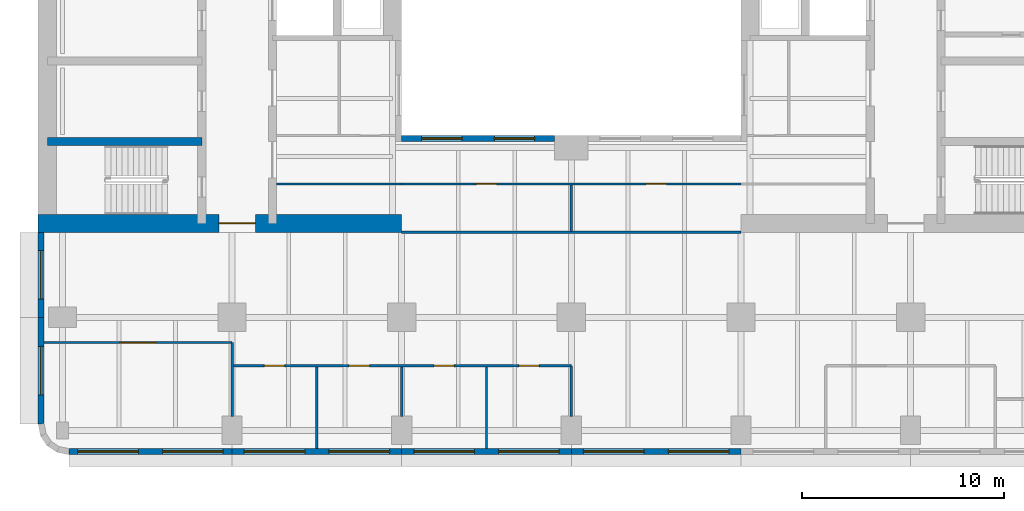
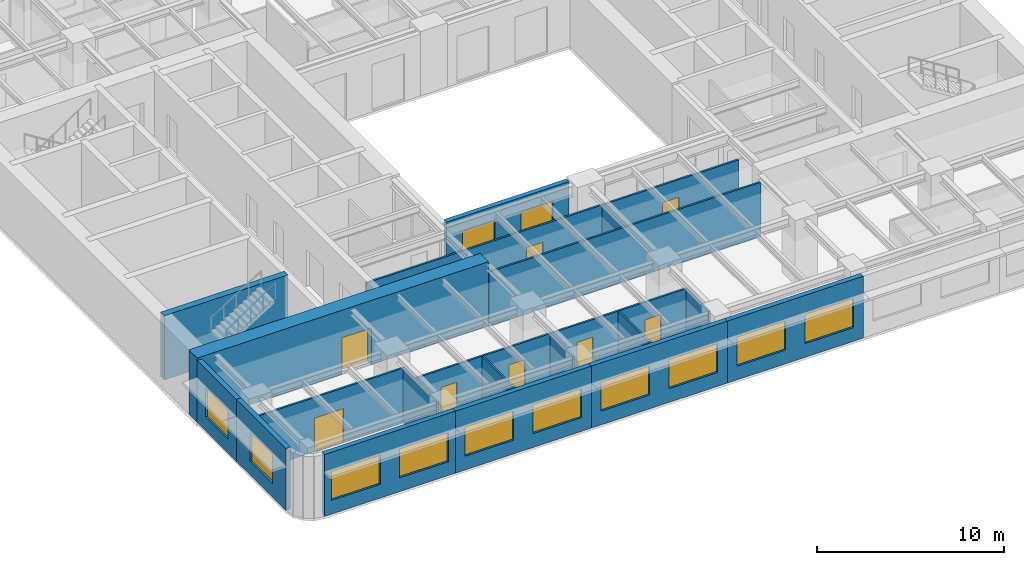
# One storey, part 3 of 11: 20 walls, 12 windows, 8 doors, 20 openings.
"""IFC4 building model written with IfcOpenShell, lengths in metres."""

from ifc_helpers import new_model, si_unit, direction, frame, frame_2d, origin, place, context, subcontext, project, spatial, rectangle, extrude, material, layer, layer_set, type_object, element, fill, save


model = new_model("IFC4")

# Units and contexts
model_context = context("Model", 3, precision=1e-05, world=origin(), true_north=direction((0.0, 1.0)))
body_context = subcontext(model_context, "Body", "Model", "MODEL_VIEW")
ifc_project = project(units=[si_unit("LENGTHUNIT", "METRE"), si_unit("AREAUNIT", "SQUARE_METRE"), si_unit("VOLUMEUNIT", "CUBIC_METRE"), si_unit("PLANEANGLEUNIT", "RADIAN"), si_unit("MASSUNIT", "GRAM", prefix="KILO")], contexts=[model_context])

# Site, building, storey
site_placement = place(None, origin())
site = spatial("IfcSite", under=ifc_project, at=site_placement, CompositionType="ELEMENT")
building_placement = place(site_placement, origin())
building = spatial("IfcBuilding", under=site, at=building_placement, Name="Claustro Exchange Tower", CompositionType="ELEMENT")
storey_placement = place(building_placement, frame((0.0, 0.0, 117.60009765625)))
storey = spatial("IfcBuildingStorey", under=building, at=storey_placement, Name="L26", CompositionType="ELEMENT", Elevation=117.60009765625)

# Wall, opening, door
ifc_material_1 = material(Name="Laminated glass in aluminium frame", Category="aluminium")
ifc_layer_1 = layer(ifc_material_1, 0.1201171875)
ifc_layer_set_1 = layer_set([ifc_layer_1], Name="Laminated glass in aluminium frame")
wall_type_1 = type_object("IfcWallType", Name="P2 120 glazed partition", PredefinedType="PARTITIONING", material=ifc_layer_set_1)
wall_1_placement = place(storey_placement, frame((-0.902099609375, 7.14990234375, 0.0), z_axis=(0.0, 0.0, 1.0), x_axis=(1.0, 0.0, 0.0)))
wall_1 = element("IfcWall", 1, at=wall_1_placement, inside=storey, type_object=wall_type_1, Name="Partition P2 L26", PredefinedType="PARTITIONING", context=body_context, shape_type="SweptSolid", body=[
    extrude(rectangle(XDim=9.302001953125, YDim=0.1201171875, at=frame_2d((4.65087890625, 0.0))), origin(), (0.0, 0.0, 1.0), 3.5498046875),
])
opening_1_placement = place(wall_1_placement, frame((3.751953125, 0.0, 0.0)))
opening_1 = element("IfcOpeningElement", 2, at=opening_1_placement, cuts=wall_1, Name="Opening D2", PredefinedType="OPENING", context=body_context, shape_type="SweptSolid", body=[
    extrude(rectangle(XDim=1.800048828125, YDim=2.199951171875, at=frame_2d((0.89990234375, 1.10009765625))), frame((0.0, 0.070068359375, 0.0), z_axis=(0.0, -1.0, 0.0), x_axis=(1.0, 0.0, 0.0)), (0.0, 0.0, 1.0), 0.14013671875),
])
ifc_material_2 = material(Name="Timber door, oak veneer", Category="wood")
door_type_1 = type_object("IfcDoorType", Name="D2 1800 x 2200 double door", OperationType="DOUBLE_DOOR_SINGLE_SWING", PredefinedType="DOOR", material=ifc_material_2)
door_1_placement = place(opening_1_placement, frame((1.800048828125, 0.0, 0.0), z_axis=(0.0, 0.0, 1.0), x_axis=(-1.0, 0.0, 0.0)))
door_1 = element("IfcDoor", 3, at=door_1_placement, inside=storey, type_object=door_type_1, Name="Double door D2 L26", OperationType="DOUBLE_DOOR_SINGLE_SWING", OverallHeight=2.199951171875, OverallWidth=1.800048828125, PredefinedType="DOOR", context=body_context, shape_type="SweptSolid", body=[
    extrude(rectangle(XDim=1.800048828125, YDim=2.199951171875, at=frame_2d((0.89990234375, 1.10009765625))), frame((0.0, 0.02490234375, 0.0), z_axis=(0.0, -1.0, 0.0), x_axis=(1.0, 0.0, 0.0)), (0.0, 0.0, 1.0), 0.050048828125),
])
fill(opening_1, door_1)

# Wall, openings, doors
wall_2_placement = place(storey_placement, frame((8.4580078125, 6.0, 0.0), z_axis=(0.0, 0.0, 1.0), x_axis=(1.0, 0.0, 0.0)))
wall_2 = element("IfcWall", 4, at=wall_2_placement, inside=storey, type_object=wall_type_1, Name="Partition P2 L26", PredefinedType="PARTITIONING", context=body_context, shape_type="SweptSolid", body=[
    extrude(rectangle(XDim=16.741943359375, YDim=0.1201171875, at=frame_2d((8.37109375, 0.0))), origin(), (0.0, 0.0, 1.0), 3.5498046875),
])
opening_2_placement = place(wall_2_placement, frame((1.5419921875, 0.0, 0.0)))
opening_2 = element("IfcOpeningElement", 5, at=opening_2_placement, cuts=wall_2, Name="Opening D7", PredefinedType="OPENING", context=body_context, shape_type="SweptSolid", body=[
    extrude(rectangle(XDim=1.0, YDim=2.39990234375, at=frame_2d((0.5, 1.199951171875))), frame((0.0, 0.070068359375, 0.0), z_axis=(0.0, -1.0, 0.0), x_axis=(1.0, 0.0, 0.0)), (0.0, 0.0, 1.0), 0.14013671875),
])
opening_3_placement = place(wall_2_placement, frame((5.741943359375, 0.0, 0.0)))
opening_3 = element("IfcOpeningElement", 6, at=opening_3_placement, cuts=wall_2, Name="Opening D7", PredefinedType="OPENING", context=body_context, shape_type="SweptSolid", body=[
    extrude(rectangle(XDim=1.0, YDim=2.39990234375, at=frame_2d((0.5, 1.199951171875))), frame((0.0, 0.070068359375, 0.0), z_axis=(0.0, -1.0, 0.0), x_axis=(1.0, 0.0, 0.0)), (0.0, 0.0, 1.0), 0.14013671875),
])
opening_4_placement = place(wall_2_placement, frame((9.94189453125, 0.0, 0.0)))
opening_4 = element("IfcOpeningElement", 7, at=opening_4_placement, cuts=wall_2, Name="Opening D7", PredefinedType="OPENING", context=body_context, shape_type="SweptSolid", body=[
    extrude(rectangle(XDim=1.0, YDim=2.39990234375, at=frame_2d((0.5, 1.199951171875))), frame((0.0, 0.070068359375, 0.0), z_axis=(0.0, -1.0, 0.0), x_axis=(1.0, 0.0, 0.0)), (0.0, 0.0, 1.0), 0.14013671875),
])
opening_5_placement = place(wall_2_placement, frame((14.14208984375, 0.0, 0.0)))
opening_5 = element("IfcOpeningElement", 8, at=opening_5_placement, cuts=wall_2, Name="Opening D7", PredefinedType="OPENING", context=body_context, shape_type="SweptSolid", body=[
    extrude(rectangle(XDim=1.0, YDim=2.39990234375, at=frame_2d((0.5, 1.199951171875))), frame((0.0, 0.070068359375, 0.0), z_axis=(0.0, -1.0, 0.0), x_axis=(1.0, 0.0, 0.0)), (0.0, 0.0, 1.0), 0.14013671875),
])
ifc_material_3 = material(Name="Glass door in aluminium frame", Category="aluminium")
door_type_2 = type_object("IfcDoorType", Name="D7 1000 x 2400 glazed door", OperationType="SINGLE_SWING_LEFT", PredefinedType="DOOR", material=ifc_material_3)
door_2_placement = place(opening_2_placement, frame((1.0, 0.0, 0.0), z_axis=(0.0, 0.0, 1.0), x_axis=(-1.0, 0.0, 0.0)))
door_2 = element("IfcDoor", 9, at=door_2_placement, inside=storey, type_object=door_type_2, Name="Door D7 L26", OperationType="SINGLE_SWING_LEFT", OverallHeight=2.39990234375, OverallWidth=1.0, PredefinedType="DOOR", context=body_context, shape_type="SweptSolid", body=[
    extrude(rectangle(XDim=1.0, YDim=2.39990234375, at=frame_2d((0.5, 1.199951171875))), frame((0.0, 0.02490234375, 0.0), z_axis=(0.0, -1.0, 0.0), x_axis=(1.0, 0.0, 0.0)), (0.0, 0.0, 1.0), 0.050048828125),
])
fill(opening_2, door_2)
door_3_placement = place(opening_3_placement, frame((1.0, 0.0, 0.0), z_axis=(0.0, 0.0, 1.0), x_axis=(-1.0, 0.0, 0.0)))
door_3 = element("IfcDoor", 10, at=door_3_placement, inside=storey, type_object=door_type_2, Name="Door D7 L26", OperationType="SINGLE_SWING_RIGHT", OverallHeight=2.39990234375, OverallWidth=1.0, PredefinedType="DOOR", context=body_context, shape_type="SweptSolid", body=[
    extrude(rectangle(XDim=1.0, YDim=2.39990234375, at=frame_2d((0.5, 1.199951171875))), frame((0.0, 0.02490234375, 0.0), z_axis=(0.0, -1.0, 0.0), x_axis=(1.0, 0.0, 0.0)), (0.0, 0.0, 1.0), 0.050048828125),
])
fill(opening_3, door_3)
door_4_placement = place(opening_4_placement, frame((1.0, 0.0, 0.0), z_axis=(0.0, 0.0, 1.0), x_axis=(-1.0, 0.0, 0.0)))
door_4 = element("IfcDoor", 11, at=door_4_placement, inside=storey, type_object=door_type_2, Name="Door D7 L26", OperationType="SINGLE_SWING_RIGHT", OverallHeight=2.39990234375, OverallWidth=1.0, PredefinedType="DOOR", context=body_context, shape_type="SweptSolid", body=[
    extrude(rectangle(XDim=1.0, YDim=2.39990234375, at=frame_2d((0.5, 1.199951171875))), frame((0.0, 0.02490234375, 0.0), z_axis=(0.0, -1.0, 0.0), x_axis=(1.0, 0.0, 0.0)), (0.0, 0.0, 1.0), 0.050048828125),
])
fill(opening_4, door_4)
door_5_placement = place(opening_5_placement, frame((1.0, 0.0, 0.0), z_axis=(0.0, 0.0, 1.0), x_axis=(-1.0, 0.0, 0.0)))
door_5 = element("IfcDoor", 12, at=door_5_placement, inside=storey, type_object=door_type_2, Name="Door D7 L26", OperationType="SINGLE_SWING_LEFT", OverallHeight=2.39990234375, OverallWidth=1.0, PredefinedType="DOOR", context=body_context, shape_type="SweptSolid", body=[
    extrude(rectangle(XDim=1.0, YDim=2.39990234375, at=frame_2d((0.5, 1.199951171875))), frame((0.0, 0.02490234375, 0.0), z_axis=(0.0, -1.0, 0.0), x_axis=(1.0, 0.0, 0.0)), (0.0, 0.0, 1.0), 0.050048828125),
])
fill(opening_5, door_5)

# Walls
wall_3_placement = place(storey_placement, frame((8.39990234375, 3.4990234375, 0.0), z_axis=(0.0, 0.0, 1.0), x_axis=(0.0, 1.0, 0.0)))
element("IfcWall", 13, at=wall_3_placement, inside=storey, type_object=wall_type_1, Name="Partition P2 L26", PredefinedType="PARTITIONING", context=body_context, shape_type="SweptSolid", body=[
    extrude(rectangle(XDim=3.65087890625, YDim=0.1201171875, at=frame_2d((1.825439453125, 0.0))), origin(), (0.0, 0.0, 1.0), 3.5498046875),
])
wall_4_placement = place(storey_placement, frame((12.60009765625, 1.89794921875, 0.0), z_axis=(0.0, 0.0, 1.0), x_axis=(0.0, 1.0, 0.0)))
element("IfcWall", 14, at=wall_4_placement, inside=storey, type_object=wall_type_1, Name="Partition P2 L26", PredefinedType="PARTITIONING", context=body_context, shape_type="SweptSolid", body=[
    extrude(rectangle(XDim=4.0439453125, YDim=0.1201171875, at=frame_2d((2.02197265625, 0.0))), origin(), (0.0, 0.0, 1.0), 3.559814453125),
])
wall_5_placement = place(storey_placement, frame((16.800048828125, 3.4990234375, 0.0), z_axis=(0.0, 0.0, 1.0), x_axis=(0.0, 1.0, 0.0)))
element("IfcWall", 15, at=wall_5_placement, inside=storey, type_object=wall_type_1, Name="Partition P2 L26", PredefinedType="PARTITIONING", context=body_context, shape_type="SweptSolid", body=[
    extrude(rectangle(XDim=2.44287109375, YDim=0.1201171875, at=frame_2d((1.221435546875, 0.0))), origin(), (0.0, 0.0, 1.0), 3.5498046875),
])
wall_6_placement = place(storey_placement, frame((21.0, 1.89794921875, 0.0), z_axis=(0.0, 0.0, 1.0), x_axis=(0.0, 1.0, 0.0)))
element("IfcWall", 16, at=wall_6_placement, inside=storey, type_object=wall_type_1, Name="Partition P2 L26", PredefinedType="PARTITIONING", context=body_context, shape_type="SweptSolid", body=[
    extrude(rectangle(XDim=4.0439453125, YDim=0.1201171875, at=frame_2d((2.02197265625, 0.0))), origin(), (0.0, 0.0, 1.0), 3.559814453125),
])
wall_7_placement = place(storey_placement, frame((25.199951171875, 3.4990234375, 0.0), z_axis=(0.0, 0.0, 1.0), x_axis=(0.0, 1.0, 0.0)))
element("IfcWall", 17, at=wall_7_placement, inside=storey, type_object=wall_type_1, Name="Partition P2 L26", PredefinedType="PARTITIONING", context=body_context, shape_type="SweptSolid", body=[
    extrude(rectangle(XDim=2.5009765625, YDim=0.1201171875, at=frame_2d((1.25048828125, 0.0))), origin(), (0.0, 0.0, 1.0), 3.5498046875),
])
wall_8_placement = place(storey_placement, frame((10.597900390625, 15.0, 0.0), z_axis=(0.0, 0.0, 1.0), x_axis=(1.0, 0.0, 0.0)))
element("IfcWall", 18, at=wall_8_placement, inside=storey, type_object=wall_type_1, Name="Partition P2 L26", PredefinedType="PARTITIONING", context=body_context, shape_type="SweptSolid", body=[
    extrude(rectangle(XDim=6.2041015625, YDim=0.1201171875, at=frame_2d((3.10205078125, 0.0))), origin(), (0.0, 0.0, 1.0), 3.5498046875),
])
wall_9_placement = place(storey_placement, frame((25.199951171875, 12.657958984375, 0.0), z_axis=(0.0, 0.0, 1.0), x_axis=(0.0, 1.0, 0.0)))
element("IfcWall", 19, at=wall_9_placement, inside=storey, type_object=wall_type_1, Name="Partition P2 L26", PredefinedType="PARTITIONING", context=body_context, shape_type="SweptSolid", body=[
    extrude(rectangle(XDim=2.283935546875, YDim=0.1201171875, at=frame_2d((1.14208984375, 0.0))), origin(), (0.0, 0.0, 1.0), 3.5498046875),
])

# Wall, openings, doors
wall_10_placement = place(storey_placement, frame((16.798095703125, 15.0, 0.0), z_axis=(0.0, 0.0, 1.0), x_axis=(1.0, 0.0, 0.0)))
wall_10 = element("IfcWall", 20, at=wall_10_placement, inside=storey, type_object=wall_type_1, Name="Partition P2 L26", PredefinedType="PARTITIONING", context=body_context, shape_type="SweptSolid", body=[
    extrude(rectangle(XDim=16.803955078125, YDim=0.1201171875, at=frame_2d((8.40185546875, 0.0))), origin(), (0.0, 0.0, 1.0), 3.5498046875),
])
opening_6_placement = place(wall_10_placement, frame((3.701904296875, 0.0, 0.0)))
opening_6 = element("IfcOpeningElement", 21, at=opening_6_placement, cuts=wall_10, Name="Opening D7", PredefinedType="OPENING", context=body_context, shape_type="SweptSolid", body=[
    extrude(rectangle(XDim=1.0, YDim=2.39990234375, at=frame_2d((0.5, 1.199951171875))), frame((0.0, 0.070068359375, 0.0), z_axis=(0.0, -1.0, 0.0), x_axis=(1.0, 0.0, 0.0)), (0.0, 0.0, 1.0), 0.14013671875),
])
opening_7_placement = place(wall_10_placement, frame((12.10205078125, 0.0, 0.0)))
opening_7 = element("IfcOpeningElement", 22, at=opening_7_placement, cuts=wall_10, Name="Opening D7", PredefinedType="OPENING", context=body_context, shape_type="SweptSolid", body=[
    extrude(rectangle(XDim=1.0, YDim=2.39990234375, at=frame_2d((0.5, 1.199951171875))), frame((0.0, 0.070068359375, 0.0), z_axis=(0.0, -1.0, 0.0), x_axis=(1.0, 0.0, 0.0)), (0.0, 0.0, 1.0), 0.14013671875),
])
door_6_placement = place(opening_6_placement, frame((1.0, 0.0, 0.0), z_axis=(0.0, 0.0, 1.0), x_axis=(-1.0, 0.0, 0.0)))
door_6 = element("IfcDoor", 23, at=door_6_placement, inside=storey, type_object=door_type_2, Name="Door D7 L26", OperationType="SINGLE_SWING_RIGHT", OverallHeight=2.39990234375, OverallWidth=1.0, PredefinedType="DOOR", context=body_context, shape_type="SweptSolid", body=[
    extrude(rectangle(XDim=1.0, YDim=2.39990234375, at=frame_2d((0.5, 1.199951171875))), frame((0.0, 0.02490234375, 0.0), z_axis=(0.0, -1.0, 0.0), x_axis=(1.0, 0.0, 0.0)), (0.0, 0.0, 1.0), 0.050048828125),
])
fill(opening_6, door_6)
door_7_placement = place(opening_7_placement, frame((1.0, 0.0, 0.0), z_axis=(0.0, 0.0, 1.0), x_axis=(-1.0, 0.0, 0.0)))
door_7 = element("IfcDoor", 24, at=door_7_placement, inside=storey, type_object=door_type_2, Name="Door D7 L26", OperationType="SINGLE_SWING_RIGHT", OverallHeight=2.39990234375, OverallWidth=1.0, PredefinedType="DOOR", context=body_context, shape_type="SweptSolid", body=[
    extrude(rectangle(XDim=1.0, YDim=2.39990234375, at=frame_2d((0.5, 1.199951171875))), frame((0.0, 0.02490234375, 0.0), z_axis=(0.0, -1.0, 0.0), x_axis=(1.0, 0.0, 0.0)), (0.0, 0.0, 1.0), 0.050048828125),
])
fill(opening_7, door_7)

# Wall
wall_11_placement = place(storey_placement, frame((16.800048828125, 12.60009765625, 0.0), z_axis=(0.0, 0.0, 1.0), x_axis=(1.0, 0.0, 0.0)))
element("IfcWall", 25, at=wall_11_placement, inside=storey, type_object=wall_type_1, Name="Partition P2 L26", PredefinedType="PARTITIONING", context=body_context, shape_type="SweptSolid", body=[
    extrude(rectangle(XDim=16.800048828125, YDim=0.1201171875, at=frame_2d((8.39990234375, 0.0))), origin(), (0.0, 0.0, 1.0), 3.5498046875),
])

# Wall, openings, windows
ifc_material_4 = material(Name="Concrete HA-40 (C40/50), precast, white cement, acid-etched", Category="concrete")
ifc_layer_2 = layer(ifc_material_4, 0.300048828125)
ifc_layer_set_2 = layer_set([ifc_layer_2], Name="Concrete HA-40 (C40/50), precast, white cement, acid-etched")
wall_type_2 = type_object("IfcWallType", Name="PC1 300 precast concrete pier panel", PredefinedType="SOLIDWALL", material=ifc_layer_set_2)
wall_12_placement = place(storey_placement, frame((33.60009765625, 1.75, 0.0), z_axis=(0.0, 0.0, 1.0), x_axis=(-1.0, 0.0, 0.0)))
wall_12 = element("IfcWall", 26, at=wall_12_placement, inside=storey, type_object=wall_type_2, Name="Precast pier panel PC1 L26", PredefinedType="SOLIDWALL", context=body_context, shape_type="SweptSolid", body=[
    extrude(rectangle(XDim=8.400146484375, YDim=0.300048828125, at=frame_2d((4.2001953125, 0.0))), origin(), (0.0, 0.0, 1.0), 4.0498046875),
])
opening_8_placement = place(wall_12_placement, frame((0.60009765625, 0.0, 0.89990234375)))
opening_8 = element("IfcOpeningElement", 27, at=opening_8_placement, cuts=wall_12, Name="Opening W1", PredefinedType="OPENING", context=body_context, shape_type="SweptSolid", body=[
    extrude(rectangle(XDim=3.0, YDim=1.89990234375, at=frame_2d((1.5, 0.949951171875))), frame((0.0, 0.159912109375, 0.0), z_axis=(0.0, -1.0, 0.0), x_axis=(1.0, 0.0, 0.0)), (0.0, 0.0, 1.0), 0.320068359375),
])
opening_9_placement = place(wall_12_placement, frame((4.800048828125, 0.0, 0.89990234375)))
opening_9 = element("IfcOpeningElement", 28, at=opening_9_placement, cuts=wall_12, Name="Opening W1", PredefinedType="OPENING", context=body_context, shape_type="SweptSolid", body=[
    extrude(rectangle(XDim=3.0, YDim=1.89990234375, at=frame_2d((1.5, 0.949951171875))), frame((0.0, 0.159912109375, 0.0), z_axis=(0.0, -1.0, 0.0), x_axis=(1.0, 0.0, 0.0)), (0.0, 0.0, 1.0), 0.320068359375),
])
ifc_material_5 = material(Name="Aluminium frame, clear double glazing", Category="aluminium")
window_type_1 = type_object("IfcWindowType", Name="W1 3000 x 1900 window", PartitioningType="SINGLE_PANEL", PredefinedType="WINDOW", material=ifc_material_5)
window_1_placement = place(opening_8_placement, origin())
window_1 = element("IfcWindow", 29, at=window_1_placement, inside=storey, type_object=window_type_1, Name="Window W1 L26", OverallHeight=1.89990234375, OverallWidth=3.0, PartitioningType="SINGLE_PANEL", PredefinedType="WINDOW", context=body_context, shape_type="SweptSolid", body=[
    extrude(rectangle(XDim=3.0, YDim=1.89990234375, at=frame_2d((1.5, 0.949951171875))), frame((0.0, 0.030029296875, 0.0), z_axis=(0.0, -1.0, 0.0), x_axis=(1.0, 0.0, 0.0)), (0.0, 0.0, 1.0), 0.06005859375),
])
fill(opening_8, window_1)
window_2_placement = place(opening_9_placement, origin())
window_2 = element("IfcWindow", 30, at=window_2_placement, inside=storey, type_object=window_type_1, Name="Window W1 L26", OverallHeight=1.89990234375, OverallWidth=3.0, PartitioningType="SINGLE_PANEL", PredefinedType="WINDOW", context=body_context, shape_type="SweptSolid", body=[
    extrude(rectangle(XDim=3.0, YDim=1.89990234375, at=frame_2d((1.5, 0.949951171875))), frame((0.0, 0.030029296875, 0.0), z_axis=(0.0, -1.0, 0.0), x_axis=(1.0, 0.0, 0.0)), (0.0, 0.0, 1.0), 0.06005859375),
])
fill(opening_9, window_2)

wall_13_placement = place(storey_placement, frame((25.199951171875, 1.75, 0.0), z_axis=(0.0, 0.0, 1.0), x_axis=(-1.0, 0.0, 0.0)))
wall_13 = element("IfcWall", 31, at=wall_13_placement, inside=storey, type_object=wall_type_2, Name="Precast pier panel PC1 L26", PredefinedType="SOLIDWALL", context=body_context, shape_type="SweptSolid", body=[
    extrude(rectangle(XDim=8.39990234375, YDim=0.300048828125, at=frame_2d((4.199951171875, 0.0))), origin(), (0.0, 0.0, 1.0), 4.0498046875),
])
opening_10_placement = place(wall_13_placement, frame((0.60009765625, 0.0, 0.89990234375)))
opening_10 = element("IfcOpeningElement", 32, at=opening_10_placement, cuts=wall_13, Name="Opening W1", PredefinedType="OPENING", context=body_context, shape_type="SweptSolid", body=[
    extrude(rectangle(XDim=3.0, YDim=1.89990234375, at=frame_2d((1.5, 0.949951171875))), frame((0.0, 0.159912109375, 0.0), z_axis=(0.0, -1.0, 0.0), x_axis=(1.0, 0.0, 0.0)), (0.0, 0.0, 1.0), 0.320068359375),
])
opening_11_placement = place(wall_13_placement, frame((4.800048828125, 0.0, 0.89990234375)))
opening_11 = element("IfcOpeningElement", 33, at=opening_11_placement, cuts=wall_13, Name="Opening W1", PredefinedType="OPENING", context=body_context, shape_type="SweptSolid", body=[
    extrude(rectangle(XDim=3.0, YDim=1.89990234375, at=frame_2d((1.5, 0.949951171875))), frame((0.0, 0.159912109375, 0.0), z_axis=(0.0, -1.0, 0.0), x_axis=(1.0, 0.0, 0.0)), (0.0, 0.0, 1.0), 0.320068359375),
])
window_3_placement = place(opening_10_placement, origin())
window_3 = element("IfcWindow", 34, at=window_3_placement, inside=storey, type_object=window_type_1, Name="Window W1 L26", OverallHeight=1.89990234375, OverallWidth=3.0, PartitioningType="SINGLE_PANEL", PredefinedType="WINDOW", context=body_context, shape_type="SweptSolid", body=[
    extrude(rectangle(XDim=3.0, YDim=1.89990234375, at=frame_2d((1.5, 0.949951171875))), frame((0.0, 0.030029296875, 0.0), z_axis=(0.0, -1.0, 0.0), x_axis=(1.0, 0.0, 0.0)), (0.0, 0.0, 1.0), 0.06005859375),
])
fill(opening_10, window_3)
window_4_placement = place(opening_11_placement, origin())
window_4 = element("IfcWindow", 35, at=window_4_placement, inside=storey, type_object=window_type_1, Name="Window W1 L26", OverallHeight=1.89990234375, OverallWidth=3.0, PartitioningType="SINGLE_PANEL", PredefinedType="WINDOW", context=body_context, shape_type="SweptSolid", body=[
    extrude(rectangle(XDim=3.0, YDim=1.89990234375, at=frame_2d((1.5, 0.949951171875))), frame((0.0, 0.030029296875, 0.0), z_axis=(0.0, -1.0, 0.0), x_axis=(1.0, 0.0, 0.0)), (0.0, 0.0, 1.0), 0.06005859375),
])
fill(opening_11, window_4)

wall_14_placement = place(storey_placement, frame((16.800048828125, 1.75, 0.0), z_axis=(0.0, 0.0, 1.0), x_axis=(-1.0, 0.0, 0.0)))
wall_14 = element("IfcWall", 36, at=wall_14_placement, inside=storey, type_object=wall_type_2, Name="Precast pier panel PC1 L26", PredefinedType="SOLIDWALL", context=body_context, shape_type="SweptSolid", body=[
    extrude(rectangle(XDim=8.400146484375, YDim=0.300048828125, at=frame_2d((4.2001953125, 0.0))), origin(), (0.0, 0.0, 1.0), 4.0498046875),
])
opening_12_placement = place(wall_14_placement, frame((0.60009765625, 0.0, 0.89990234375)))
opening_12 = element("IfcOpeningElement", 37, at=opening_12_placement, cuts=wall_14, Name="Opening W1", PredefinedType="OPENING", context=body_context, shape_type="SweptSolid", body=[
    extrude(rectangle(XDim=3.0, YDim=1.89990234375, at=frame_2d((1.5, 0.949951171875))), frame((0.0, 0.159912109375, 0.0), z_axis=(0.0, -1.0, 0.0), x_axis=(1.0, 0.0, 0.0)), (0.0, 0.0, 1.0), 0.320068359375),
])
opening_13_placement = place(wall_14_placement, frame((4.800048828125, 0.0, 0.89990234375)))
opening_13 = element("IfcOpeningElement", 38, at=opening_13_placement, cuts=wall_14, Name="Opening W1", PredefinedType="OPENING", context=body_context, shape_type="SweptSolid", body=[
    extrude(rectangle(XDim=3.0, YDim=1.89990234375, at=frame_2d((1.5, 0.949951171875))), frame((0.0, 0.159912109375, 0.0), z_axis=(0.0, -1.0, 0.0), x_axis=(1.0, 0.0, 0.0)), (0.0, 0.0, 1.0), 0.320068359375),
])
window_5_placement = place(opening_12_placement, origin())
window_5 = element("IfcWindow", 39, at=window_5_placement, inside=storey, type_object=window_type_1, Name="Window W1 L26", OverallHeight=1.89990234375, OverallWidth=3.0, PartitioningType="SINGLE_PANEL", PredefinedType="WINDOW", context=body_context, shape_type="SweptSolid", body=[
    extrude(rectangle(XDim=3.0, YDim=1.89990234375, at=frame_2d((1.5, 0.949951171875))), frame((0.0, 0.030029296875, 0.0), z_axis=(0.0, -1.0, 0.0), x_axis=(1.0, 0.0, 0.0)), (0.0, 0.0, 1.0), 0.06005859375),
])
fill(opening_12, window_5)
window_6_placement = place(opening_13_placement, origin())
window_6 = element("IfcWindow", 40, at=window_6_placement, inside=storey, type_object=window_type_1, Name="Window W1 L26", OverallHeight=1.89990234375, OverallWidth=3.0, PartitioningType="SINGLE_PANEL", PredefinedType="WINDOW", context=body_context, shape_type="SweptSolid", body=[
    extrude(rectangle(XDim=3.0, YDim=1.89990234375, at=frame_2d((1.5, 0.949951171875))), frame((0.0, 0.030029296875, 0.0), z_axis=(0.0, -1.0, 0.0), x_axis=(1.0, 0.0, 0.0)), (0.0, 0.0, 1.0), 0.06005859375),
])
fill(opening_13, window_6)

wall_15_placement = place(storey_placement, frame((8.39990234375, 1.75, 0.0), z_axis=(0.0, 0.0, 1.0), x_axis=(-1.0, 0.0, 0.0)))
wall_15 = element("IfcWall", 41, at=wall_15_placement, inside=storey, type_object=wall_type_2, Name="Precast pier panel PC1 L26", PredefinedType="SOLIDWALL", context=body_context, shape_type="SweptSolid", body=[
    extrude(rectangle(XDim=8.085205078125, YDim=0.300048828125, at=frame_2d((4.04248046875, 0.0))), origin(), (0.0, 0.0, 1.0), 4.0498046875),
])
opening_14_placement = place(wall_15_placement, frame((0.442626953125, 0.0, 0.89990234375)))
opening_14 = element("IfcOpeningElement", 42, at=opening_14_placement, cuts=wall_15, Name="Opening W1", PredefinedType="OPENING", context=body_context, shape_type="SweptSolid", body=[
    extrude(rectangle(XDim=3.0, YDim=1.89990234375, at=frame_2d((1.5, 0.949951171875))), frame((0.0, 0.159912109375, 0.0), z_axis=(0.0, -1.0, 0.0), x_axis=(1.0, 0.0, 0.0)), (0.0, 0.0, 1.0), 0.320068359375),
])
opening_15_placement = place(wall_15_placement, frame((4.642578125, 0.0, 0.89990234375)))
opening_15 = element("IfcOpeningElement", 43, at=opening_15_placement, cuts=wall_15, Name="Opening W1", PredefinedType="OPENING", context=body_context, shape_type="SweptSolid", body=[
    extrude(rectangle(XDim=3.0, YDim=1.89990234375, at=frame_2d((1.5, 0.949951171875))), frame((0.0, 0.159912109375, 0.0), z_axis=(0.0, -1.0, 0.0), x_axis=(1.0, 0.0, 0.0)), (0.0, 0.0, 1.0), 0.320068359375),
])
window_7_placement = place(opening_14_placement, origin())
window_7 = element("IfcWindow", 44, at=window_7_placement, inside=storey, type_object=window_type_1, Name="Window W1 L26", OverallHeight=1.89990234375, OverallWidth=3.0, PartitioningType="SINGLE_PANEL", PredefinedType="WINDOW", context=body_context, shape_type="SweptSolid", body=[
    extrude(rectangle(XDim=3.0, YDim=1.89990234375, at=frame_2d((1.5, 0.949951171875))), frame((0.0, 0.030029296875, 0.0), z_axis=(0.0, -1.0, 0.0), x_axis=(1.0, 0.0, 0.0)), (0.0, 0.0, 1.0), 0.06005859375),
])
fill(opening_14, window_7)
window_8_placement = place(opening_15_placement, origin())
window_8 = element("IfcWindow", 45, at=window_8_placement, inside=storey, type_object=window_type_1, Name="Window W1 L26", OverallHeight=1.89990234375, OverallWidth=3.0, PartitioningType="SINGLE_PANEL", PredefinedType="WINDOW", context=body_context, shape_type="SweptSolid", body=[
    extrude(rectangle(XDim=3.0, YDim=1.89990234375, at=frame_2d((1.5, 0.949951171875))), frame((0.0, 0.030029296875, 0.0), z_axis=(0.0, -1.0, 0.0), x_axis=(1.0, 0.0, 0.0)), (0.0, 0.0, 1.0), 0.06005859375),
])
fill(opening_15, window_8)

# Wall, opening, window
wall_16_placement = place(storey_placement, frame((-1.050048828125, 3.11474609375, 0.0), z_axis=(0.0, 0.0, 1.0), x_axis=(0.0, 1.0, 0.0)))
wall_16 = element("IfcWall", 46, at=wall_16_placement, inside=storey, type_object=wall_type_2, Name="Precast pier panel PC1 L26", PredefinedType="SOLIDWALL", context=body_context, shape_type="SweptSolid", body=[
    extrude(rectangle(XDim=5.28515625, YDim=0.300048828125, at=frame_2d((2.642578125, 0.0))), origin(), (0.0, 0.0, 1.0), 4.0498046875),
])
opening_16_placement = place(wall_16_placement, frame((1.442626953125, 0.0, 0.89990234375)))
opening_16 = element("IfcOpeningElement", 47, at=opening_16_placement, cuts=wall_16, Name="Opening W2", PredefinedType="OPENING", context=body_context, shape_type="SweptSolid", body=[
    extrude(rectangle(XDim=2.39990234375, YDim=1.89990234375, at=frame_2d((1.199951171875, 0.949951171875))), frame((0.0, 0.159912109375, 0.0), z_axis=(0.0, -1.0, 0.0), x_axis=(1.0, 0.0, 0.0)), (0.0, 0.0, 1.0), 0.320068359375),
])
ifc_material_6 = material(Name="Aluminium frame, clear double glazing", Category="aluminium")
window_type_2 = type_object("IfcWindowType", Name="W2 2400 x 1900 window", PartitioningType="SINGLE_PANEL", PredefinedType="WINDOW", material=ifc_material_6)
window_9_placement = place(opening_16_placement, origin())
window_9 = element("IfcWindow", 48, at=window_9_placement, inside=storey, type_object=window_type_2, Name="Window W2 L26", OverallHeight=1.89990234375, OverallWidth=2.39990234375, PartitioningType="SINGLE_PANEL", PredefinedType="WINDOW", context=body_context, shape_type="SweptSolid", body=[
    extrude(rectangle(XDim=2.39990234375, YDim=1.89990234375, at=frame_2d((1.199951171875, 0.949951171875))), frame((0.0, 0.030029296875, 0.0), z_axis=(0.0, -1.0, 0.0), x_axis=(1.0, 0.0, 0.0)), (0.0, 0.0, 1.0), 0.06005859375),
])
fill(opening_16, window_9)

wall_17_placement = place(storey_placement, frame((-1.050048828125, 8.39990234375, 0.0), z_axis=(0.0, 0.0, 1.0), x_axis=(0.0, 1.0, 0.0)))
wall_17 = element("IfcWall", 49, at=wall_17_placement, inside=storey, type_object=wall_type_2, Name="Precast pier panel PC1 L26", PredefinedType="SOLIDWALL", context=body_context, shape_type="SweptSolid", body=[
    extrude(rectangle(XDim=4.2001953125, YDim=0.300048828125, at=frame_2d((2.10009765625, 0.0))), origin(), (0.0, 0.0, 1.0), 4.0498046875),
])
opening_17_placement = place(wall_17_placement, frame((0.89990234375, 0.0, 0.89990234375)))
opening_17 = element("IfcOpeningElement", 50, at=opening_17_placement, cuts=wall_17, Name="Opening W2", PredefinedType="OPENING", context=body_context, shape_type="SweptSolid", body=[
    extrude(rectangle(XDim=2.39990234375, YDim=1.89990234375, at=frame_2d((1.199951171875, 0.949951171875))), frame((0.0, 0.159912109375, 0.0), z_axis=(0.0, -1.0, 0.0), x_axis=(1.0, 0.0, 0.0)), (0.0, 0.0, 1.0), 0.320068359375),
])
window_10_placement = place(opening_17_placement, origin())
window_10 = element("IfcWindow", 51, at=window_10_placement, inside=storey, type_object=window_type_2, Name="Window W2 L26", OverallHeight=1.89990234375, OverallWidth=2.39990234375, PartitioningType="SINGLE_PANEL", PredefinedType="WINDOW", context=body_context, shape_type="SweptSolid", body=[
    extrude(rectangle(XDim=2.39990234375, YDim=1.89990234375, at=frame_2d((1.199951171875, 0.949951171875))), frame((0.0, 0.030029296875, 0.0), z_axis=(0.0, -1.0, 0.0), x_axis=(1.0, 0.0, 0.0)), (0.0, 0.0, 1.0), 0.06005859375),
])
fill(opening_17, window_10)

# Wall, openings, windows
wall_18_placement = place(storey_placement, frame((16.800048828125, 17.25, 0.0), z_axis=(0.0, 0.0, 1.0), x_axis=(1.0, 0.0, 0.0)))
wall_18 = element("IfcWall", 52, at=wall_18_placement, inside=storey, type_object=wall_type_2, Name="Precast pier panel PC1 L26", PredefinedType="SOLIDWALL", context=body_context, shape_type="SweptSolid", body=[
    extrude(rectangle(XDim=7.574951171875, YDim=0.300048828125, at=frame_2d((3.78759765625, 0.0))), origin(), (0.0, 0.0, 1.0), 4.0498046875),
])
opening_18_placement = place(wall_18_placement, frame((0.987548828125, 0.0, 0.10009765625)))
opening_18 = element("IfcOpeningElement", 53, at=opening_18_placement, cuts=wall_18, Name="Opening W-A", PredefinedType="OPENING", context=body_context, shape_type="SweptSolid", body=[
    extrude(rectangle(XDim=2.0, YDim=3.0, at=frame_2d((1.0, 1.5))), frame((0.0, 0.159912109375, 0.0), z_axis=(0.0, -1.0, 0.0), x_axis=(1.0, 0.0, 0.0)), (0.0, 0.0, 1.0), 0.320068359375),
])
opening_19_placement = place(wall_18_placement, frame((4.58740234375, 0.0, 0.10009765625)))
opening_19 = element("IfcOpeningElement", 54, at=opening_19_placement, cuts=wall_18, Name="Opening W-A", PredefinedType="OPENING", context=body_context, shape_type="SweptSolid", body=[
    extrude(rectangle(XDim=2.0, YDim=3.0, at=frame_2d((1.0, 1.5))), frame((0.0, 0.159912109375, 0.0), z_axis=(0.0, -1.0, 0.0), x_axis=(1.0, 0.0, 0.0)), (0.0, 0.0, 1.0), 0.320068359375),
])
ifc_material_7 = material(Name="Aluminium frame, clear double glazing", Category="aluminium")
window_type_3 = type_object("IfcWindowType", Name="W-A 2000 x 3000 arcade window", PartitioningType="SINGLE_PANEL", PredefinedType="WINDOW", material=ifc_material_7)
window_11_placement = place(opening_18_placement, origin())
window_11 = element("IfcWindow", 55, at=window_11_placement, inside=storey, type_object=window_type_3, Name="Window W-A L26", OverallHeight=3.0, OverallWidth=2.0, PartitioningType="SINGLE_PANEL", PredefinedType="WINDOW", context=body_context, shape_type="SweptSolid", body=[
    extrude(rectangle(XDim=2.0, YDim=3.0, at=frame_2d((1.0, 1.5))), frame((0.0, 0.030029296875, 0.0), z_axis=(0.0, -1.0, 0.0), x_axis=(1.0, 0.0, 0.0)), (0.0, 0.0, 1.0), 0.06005859375),
])
fill(opening_18, window_11)
window_12_placement = place(opening_19_placement, origin())
window_12 = element("IfcWindow", 56, at=window_12_placement, inside=storey, type_object=window_type_3, Name="Window W-A L26", OverallHeight=3.0, OverallWidth=2.0, PartitioningType="SINGLE_PANEL", PredefinedType="WINDOW", context=body_context, shape_type="SweptSolid", body=[
    extrude(rectangle(XDim=2.0, YDim=3.0, at=frame_2d((1.0, 1.5))), frame((0.0, 0.030029296875, 0.0), z_axis=(0.0, -1.0, 0.0), x_axis=(1.0, 0.0, 0.0)), (0.0, 0.0, 1.0), 0.06005859375),
])
fill(opening_19, window_12)

# Wall, opening, door
ifc_material_8 = material(Name="Concrete HA-70 (C70/85)", Category="concrete")
ifc_layer_3 = layer(ifc_material_8, 0.89990234375)
ifc_layer_set_3 = layer_set([ifc_layer_3], Name="Concrete HA-70 (C70/85)")
wall_type_3 = type_object("IfcWallType", Name="SW1 900 core shear wall", PredefinedType="SHEAR", material=ifc_layer_set_3)
wall_19_placement = place(storey_placement, frame((-1.199951171875, 13.050048828125, 0.0), z_axis=(0.0, 0.0, 1.0), x_axis=(1.0, 0.0, 0.0)))
wall_19 = element("IfcWall", 57, at=wall_19_placement, inside=storey, type_object=wall_type_3, Name="Core wall SW1 W core S face L26", PredefinedType="SHEAR", context=body_context, shape_type="SweptSolid", body=[
    extrude(rectangle(XDim=18.0, YDim=0.89990234375, at=frame_2d((9.0, 0.0))), origin(), (0.0, 0.0, 1.0), 4.199951171875),
])
opening_20_placement = place(wall_19_placement, frame((8.949951171875, 0.0, 0.0)))
opening_20 = element("IfcOpeningElement", 58, at=opening_20_placement, cuts=wall_19, Name="Opening D3", PredefinedType="OPENING", context=body_context, shape_type="SweptSolid", body=[
    extrude(rectangle(XDim=1.800048828125, YDim=2.39990234375, at=frame_2d((0.89990234375, 1.199951171875))), frame((0.0, 0.4599609375, 0.0), z_axis=(0.0, -1.0, 0.0), x_axis=(1.0, 0.0, 0.0)), (0.0, 0.0, 1.0), 0.919921875),
])
ifc_material_9 = material(Name="Steel fire door, painted", Category="steel")
door_type_3 = type_object("IfcDoorType", Name="D3 1800 x 2400 fire-rated lobby double door", OperationType="DOUBLE_DOOR_SINGLE_SWING", PredefinedType="DOOR", material=ifc_material_9)
door_8_placement = place(opening_20_placement, frame((1.800048828125, 0.0, 0.0), z_axis=(0.0, 0.0, 1.0), x_axis=(-1.0, 0.0, 0.0)))
door_8 = element("IfcDoor", 59, at=door_8_placement, inside=storey, type_object=door_type_3, Name="Lift lobby door D3 L26", OperationType="DOUBLE_DOOR_SINGLE_SWING", OverallHeight=2.39990234375, OverallWidth=1.800048828125, PredefinedType="DOOR", context=body_context, shape_type="SweptSolid", body=[
    extrude(rectangle(XDim=1.800048828125, YDim=2.39990234375, at=frame_2d((0.89990234375, 1.199951171875))), frame((0.0, 0.02490234375, 0.0), z_axis=(0.0, -1.0, 0.0), x_axis=(1.0, 0.0, 0.0)), (0.0, 0.0, 1.0), 0.050048828125),
])
fill(opening_20, door_8)

# Wall
ifc_material_10 = material(Name="Concrete HA-50 (C50/60)", Category="concrete")
ifc_layer_4 = layer(ifc_material_10, 0.39990234375)
ifc_layer_set_4 = layer_set([ifc_layer_4], Name="Concrete HA-50 (C50/60)")
wall_type_4 = type_object("IfcWallType", Name="SW4 400 internal core wall", PredefinedType="SHEAR", material=ifc_layer_set_4)
wall_20_placement = place(storey_placement, frame((-0.75, 17.10009765625, 0.0), z_axis=(0.0, 0.0, 1.0), x_axis=(1.0, 0.0, 0.0)))
element("IfcWall", 60, at=wall_20_placement, inside=storey, type_object=wall_type_4, Name="Internal core wall SW4 W core L26", PredefinedType="SHEAR", context=body_context, shape_type="SweptSolid", body=[
    extrude(rectangle(XDim=7.64990234375, YDim=0.39990234375, at=frame_2d((3.824951171875, 0.0))), origin(), (0.0, 0.0, 1.0), 4.199951171875),
])

save(model, "model.ifc")
